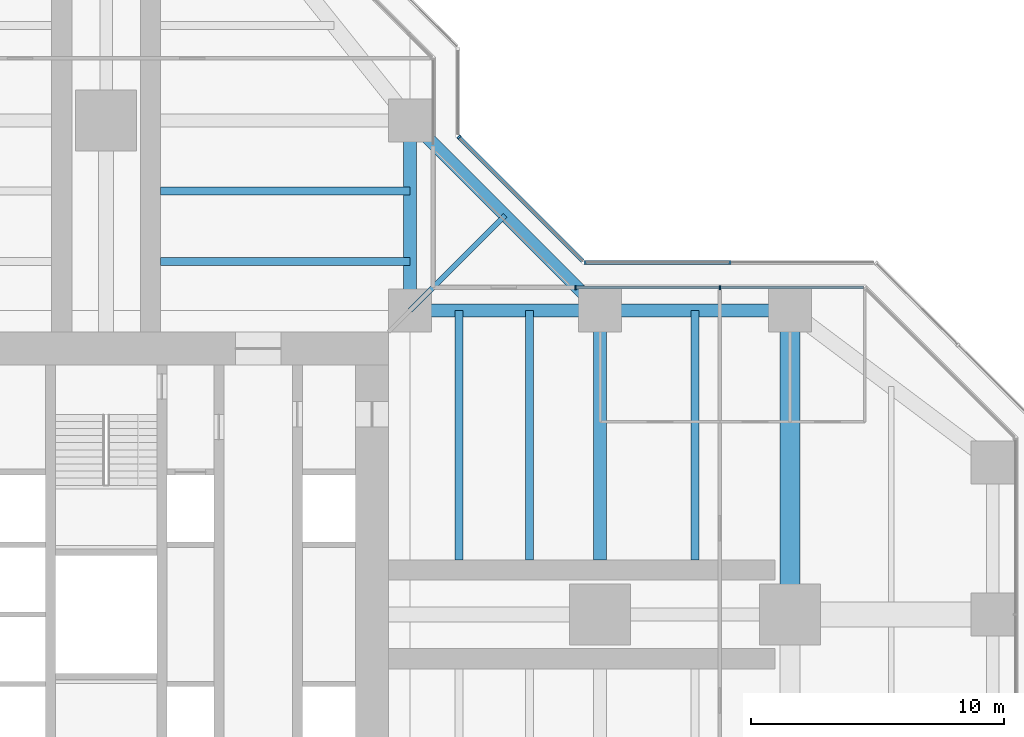
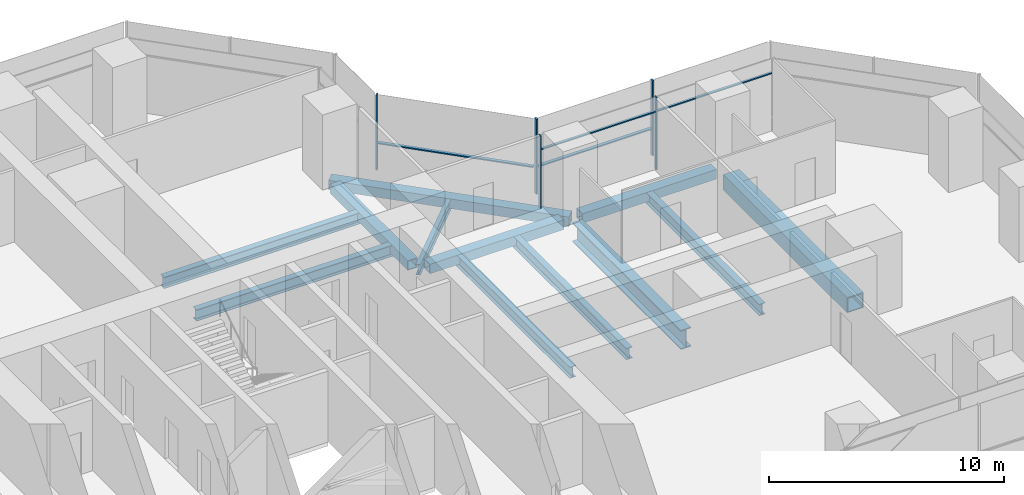
# One storey, part 9 of 19: 12 beams, 9 members, 3 elements without a shape of their own.
"""IFC4 building model written with IfcOpenShell, lengths in metres."""

import ifcopenshell
import ifcopenshell.guid

model = None  # the IFC model being written
_history = None  # IfcOwnerHistory: only IFC2X3 demands one
_inside = {}  # id of a spatial element -> (the spatial element, [elements in it])
_under = {}  # id of a project, library or spatial element -> (it, [spatial elements below it])
_declared = {}  # id of a project -> (the project, [libraries it declares])
_typed = {}  # id of a type object -> (the type object, [elements of that type])
_made_of = {}  # id of a material, layer set ... -> (it, [elements and type objects made of it])


def new_model(schema):
    """Start an empty IFC model of exactly this schema.

    Asked for "IFC4X3", IfcOpenShell would pick the latest addendum, in which some entities
    have other attributes; the version numbers below select the first issue.
    IFC2X3 requires an IfcOwnerHistory on every rooted entity: one is made here for all.
    """
    global model, _history
    if schema == "IFC4X3":
        model = ifcopenshell.file(schema_version=(4, 3, 0, 0))
    else:
        model = ifcopenshell.file(schema=schema)
    _inside.clear()
    _under.clear()
    _declared.clear()
    _typed.clear()
    _made_of.clear()
    _history = None
    if model.schema == "IFC2X3":
        org = make("IfcOrganization", Name="unknown")
        user = make(
            "IfcPersonAndOrganization",
            ThePerson=make("IfcPerson", FamilyName="unknown"),
            TheOrganization=org,
        )
        app = make(
            "IfcApplication",
            ApplicationDeveloper=org,
            Version="unknown",
            ApplicationFullName="unknown",
            ApplicationIdentifier="unknown",
        )
        _history = make(
            "IfcOwnerHistory",
            OwningUser=user,
            OwningApplication=app,
            ChangeAction="ADDED",
            CreationDate=0,
        )
    return model


def make(cls, **values):
    """One entity of the class cls with the attributes given. An attribute that is None is left unset."""
    return model.create_entity(
        cls, **{name: value for name, value in values.items() if value is not None}
    )


def rooted(cls, **values):
    """An entity with a GlobalId (a new one), such as an element, a storey or a relation."""
    return make(cls, GlobalId=ifcopenshell.guid.new(), OwnerHistory=_history, **values)


def si_unit(unit_type, name, prefix=None):
    """IfcSIUnit, for example si_unit("LENGTHUNIT", "METRE", prefix="MILLI")."""
    return make("IfcSIUnit", UnitType=unit_type, Prefix=prefix, Name=name)


def assignment(units):
    """IfcUnitAssignment: the units of a project."""
    return None if units is None else make("IfcUnitAssignment", Units=units)


def point(xyz):
    """IfcCartesianPoint."""
    return None if xyz is None else make("IfcCartesianPoint", Coordinates=xyz)


def direction(xyz):
    """IfcDirection."""
    return None if xyz is None else make("IfcDirection", DirectionRatios=xyz)


def frame(location, z_axis=None, x_axis=None):
    """IfcAxis2Placement3D, a coordinate frame: its origin and axes. An axis left out is left unset."""
    return make(
        "IfcAxis2Placement3D",
        Location=point(location),
        Axis=direction(z_axis),
        RefDirection=direction(x_axis),
    )


def frame_2d(location, x_axis=None):
    """IfcAxis2Placement2D, a coordinate frame in the plane: its origin and x axis."""
    return make(
        "IfcAxis2Placement2D", Location=point(location), RefDirection=direction(x_axis)
    )


def origin():
    """The frame at (0, 0, 0) with its axes left unset."""
    return frame((0.0, 0.0, 0.0))


def origin_2d():
    """The frame at (0, 0) in the plane with its x axis left unset."""
    return frame_2d((0.0, 0.0))


def place(relative_to, where):
    """IfcLocalPlacement: puts the frame where relative to a parent placement (None: the world)."""
    return make(
        "IfcLocalPlacement", PlacementRelTo=relative_to, RelativePlacement=where
    )


def context(
    kind, dimensions, precision=None, world=None, true_north=None, identifier=None
):
    """IfcGeometricRepresentationContext, for example the 3D "Model" context."""
    return make(
        "IfcGeometricRepresentationContext",
        ContextIdentifier=identifier,
        ContextType=kind,
        CoordinateSpaceDimension=dimensions,
        Precision=precision,
        WorldCoordinateSystem=world,
        TrueNorth=true_north,
    )


def subcontext(parent, identifier, kind, view, scale=None):
    """IfcGeometricRepresentationSubContext, for example "Body" below "Model"."""
    return make(
        "IfcGeometricRepresentationSubContext",
        ContextIdentifier=identifier,
        ContextType=kind,
        ParentContext=parent,
        TargetScale=scale,
        TargetView=view,
    )


def project(units=None, contexts=None):
    """IfcProject with its units and contexts."""
    return rooted(
        "IfcProject",
        Name="project",
        RepresentationContexts=contexts,
        UnitsInContext=assignment(units),
    )


def spatial(cls, under=None, at=None, **own):
    """A site, building, storey or space (cls), placed at a placement, below another one or the project."""
    s = rooted(cls, ObjectPlacement=at, **own)
    if under is not None:
        _under.setdefault(under.id(), (under, []))[1].append(s)
    return s


def profile(cls, at=None, kind="AREA", **sizes):
    """A parametric profile (cls). Its sizes go by their IFC names, for example OverallWidth=200.0."""
    return make(cls, ProfileType=kind, Position=at, **sizes)


def rectangle(**sizes):
    """IfcRectangleProfileDef."""
    return profile("IfcRectangleProfileDef", **sizes)


def hollow_rectangle(**sizes):
    """IfcRectangleHollowProfileDef."""
    return profile("IfcRectangleHollowProfileDef", **sizes)


def i_section(**sizes):
    """IfcIShapeProfileDef."""
    return profile("IfcIShapeProfileDef", **sizes)


def extrude(swept, where, along, depth):
    """IfcExtrudedAreaSolid: the profile swept, set in the frame where, extruded along a direction by depth."""
    return make(
        "IfcExtrudedAreaSolid",
        SweptArea=swept,
        Position=where,
        ExtrudedDirection=direction(along),
        Depth=depth,
    )


def shape(context_of_items, identifier, shape_type, items):
    """IfcShapeRepresentation: the items that make up one representation, for example the "Body"."""
    return make(
        "IfcShapeRepresentation",
        ContextOfItems=context_of_items,
        RepresentationIdentifier=identifier,
        RepresentationType=shape_type,
        Items=items,
    )


def material(Name=None, Category=None):
    """IfcMaterial."""
    return make("IfcMaterial", Name=Name, Category=Category)


def material_profile(
    of_material, cross_section, Name=None, Category=None, Priority=None
):
    """IfcMaterialProfile: a cross section and its material."""
    return make(
        "IfcMaterialProfile",
        Name=Name,
        Material=of_material,
        Profile=cross_section,
        Priority=Priority,
        Category=Category,
    )


def profile_set(profiles, Name=None, composite=None):
    """IfcMaterialProfileSet."""
    return make(
        "IfcMaterialProfileSet",
        Name=Name,
        MaterialProfiles=profiles,
        CompositeProfile=composite,
    )


def made_of(thing, what):
    """Note that an element or type object is made of a material, layer set ...; save() writes the relation."""
    if what is not None:
        _made_of.setdefault(what.id(), (what, []))[1].append(thing)
    return thing


def type_object(cls, material=None, **own):
    """A type object (cls), such as IfcWallType, which elements share."""
    return made_of(rooted(cls, **own), material)


def element(
    cls,
    number,
    at=None,
    inside=None,
    cuts=None,
    type_object=None,
    material=None,
    context=None,
    identifier="Body",
    shape_type=None,
    held_by="IfcProductDefinitionShape",
    body=None,
    shapes=None,
    **own,
):
    """One element of the class cls, such as IfcWall. Its Tag is "e" and its number.

    at: its placement. inside: the storey or other place that contains it. cuts: it is an
    opening in that element (IfcRelVoidsElement). A single representation is given by context,
    identifier, shape_type and body (its items); several are given by shapes. held_by: the class
    of the entity that holds the representations. save() writes the other relations.
    """
    e = rooted(cls, Tag="e%d" % number, ObjectPlacement=at, **own)
    if body is not None:
        shapes = [shape(context, identifier, shape_type, body)]
    if shapes is not None:
        e.Representation = make(held_by, Representations=shapes)
    if inside is not None:
        _inside.setdefault(inside.id(), (inside, []))[1].append(e)
    if cuts is not None:
        rooted(
            "IfcRelVoidsElement", RelatingBuildingElement=cuts, RelatedOpeningElement=e
        )
    if type_object is not None:
        _typed.setdefault(type_object.id(), (type_object, []))[1].append(e)
    return made_of(e, material)


def aggregate(whole, parts):
    """IfcRelAggregates: a whole, such as a stair, and the parts it consists of."""
    return rooted("IfcRelAggregates", RelatingObject=whole, RelatedObjects=parts)


def save(model, path):
    """Write the relations noted so far, then the file.

    IfcRelAggregates (storeys below a building ...), IfcRelContainedInSpatialStructure (elements
    in a storey), IfcRelDefinesByType, IfcRelAssociatesMaterial and IfcRelDeclares: one each for
    every whole, place, type object, material and project.
    """
    for whole, parts in _under.values():
        aggregate(whole, parts)
    for where, things in _inside.values():
        rooted(
            "IfcRelContainedInSpatialStructure",
            RelatedElements=things,
            RelatingStructure=where,
        )
    for kind, things in _typed.values():
        rooted("IfcRelDefinesByType", RelatedObjects=things, RelatingType=kind)
    for what, things in _made_of.values():
        rooted("IfcRelAssociatesMaterial", RelatedObjects=things, RelatingMaterial=what)
    for by, libraries in _declared.values():
        rooted("IfcRelDeclares", RelatingContext=by, RelatedDefinitions=libraries)
    model.write(path)


model = new_model("IFC4")

# Units and contexts
model_context = context("Model", 3, precision=1e-05, world=origin(), true_north=direction((0.0, 1.0)))
body_context = subcontext(model_context, "Body", "Model", "MODEL_VIEW")
ifc_project = project(units=[si_unit("LENGTHUNIT", "METRE"), si_unit("AREAUNIT", "SQUARE_METRE"), si_unit("VOLUMEUNIT", "CUBIC_METRE"), si_unit("PLANEANGLEUNIT", "RADIAN"), si_unit("MASSUNIT", "GRAM", prefix="KILO")], contexts=[model_context])

# Site, building, storey
site_placement = place(None, origin())
site = spatial("IfcSite", under=ifc_project, at=site_placement, CompositionType="ELEMENT")
building_placement = place(site_placement, origin())
building = spatial("IfcBuilding", under=site, at=building_placement, Name="Mizan Broadcast Tower", CompositionType="ELEMENT")
storey_placement = place(building_placement, frame((0.0, 0.0, 132.0)))
storey = spatial("IfcBuildingStorey", under=building, at=storey_placement, Name="L29", CompositionType="ELEMENT", Elevation=132.0)

# Beams
ifc_material_1 = material(Name="Steel S355", Category="steel")
ifc_material_profile_1 = material_profile(ifc_material_1, hollow_rectangle(XDim=0.5, YDim=0.5, WallThickness=0.030029296875, at=origin_2d()), Name="BOX 500x500x30")
ifc_profile_set_1 = profile_set([ifc_material_profile_1], Name="Steel S355")
beam_type_1 = type_object("IfcBeamType", Name="EDGE BEAM BOX 500x500x30", PredefinedType="SPANDREL", material=ifc_profile_set_1)
for number, where, z_axis, x_axis, name in (
    (1, (12.449951171875, 12.0, -0.3798828125), (1.0, 0.0, 0.0), (0.0, 1.0, 0.0), "Edge beam BOX 500x500x30 L29 east arm"),
    (2, (19.949951171875, 12.0, -0.3798828125), (1.0, 0.0, 0.0), (0.0, 1.0, 0.0), "Edge beam BOX 500x500x30 L29 east arm"),
    (3, (12.0, 12.449951171875, -0.3798828125), (0.0, 1.0, 0.0), (-1.0, 0.0, 0.0), "Edge beam BOX 500x500x30 L29 north arm"),
):
    element("IfcBeam", number, at=place(storey_placement, frame(where, z_axis=z_axis, x_axis=x_axis)), inside=storey, type_object=beam_type_1, Name=name, PredefinedType="SPANDREL", context=body_context, shape_type="SweptSolid", body=[
        extrude(hollow_rectangle(XDim=0.5, YDim=0.5, WallThickness=0.030029296875, at=origin_2d()), origin(), (0.0, 0.0, 1.0), 6.60009765625),
    ])
beam_1_placement = place(storey_placement, frame((19.5, 12.0, -0.3798828125), z_axis=(-0.707106781187, 0.707106781187, 0.0), x_axis=(-0.707106781187, -0.707106781187, 0.0)))
element("IfcBeam", 4, at=beam_1_placement, inside=storey, type_object=beam_type_1, Name="Winter garden edge beam L29 E", PredefinedType="SPANDREL", context=body_context, shape_type="SweptSolid", body=[
    extrude(hollow_rectangle(XDim=0.5, YDim=0.5, WallThickness=0.030029296875, at=origin_2d()), origin(), (0.0, 0.0, 1.0), 10.606689453125),
])
ifc_material_2 = material(Name="Steel S460", Category="steel")
ifc_material_profile_2 = material_profile(ifc_material_2, hollow_rectangle(XDim=0.800048828125, YDim=0.800048828125, WallThickness=0.050048828125, at=origin_2d()), Name="BOX 800x800x50")
ifc_profile_set_2 = profile_set([ifc_material_profile_2], Name="Steel S460")
beam_type_2 = type_object("IfcBeamType", Name="GIRDER BOX 800x800x50", PredefinedType="BEAM", material=ifc_profile_set_2)
beam_2_placement = place(storey_placement, frame((27.0, 11.280029296875, -0.530029296875), z_axis=(0.0, -1.0, 0.0), x_axis=(1.0, 0.0, 0.0)))
element("IfcBeam", 5, at=beam_2_placement, inside=storey, type_object=beam_type_2, Name="Girder BOX 800x800x50 L29 east arm", PredefinedType="BEAM", context=body_context, shape_type="SweptSolid", body=[
    extrude(hollow_rectangle(XDim=0.800048828125, YDim=0.800048828125, WallThickness=0.050048828125, at=origin_2d()), origin(), (0.0, 0.0, 1.0), 10.56005859375),
])
ifc_material_3 = material(Name="Steel S460", Category="steel")
ifc_material_profile_3 = material_profile(ifc_material_3, i_section(OverallWidth=0.5, OverallDepth=1.0, WebThickness=0.02490234375, FlangeThickness=0.050048828125, at=origin_2d()), Name="WPG 1000x500")
ifc_profile_set_3 = profile_set([ifc_material_profile_3], Name="Steel S460")
beam_type_3 = type_object("IfcBeamType", Name="GIRDER WPG 1000x500", PredefinedType="BEAM", material=ifc_profile_set_3)
beam_3_placement = place(storey_placement, frame((19.5, 11.408935546875, -0.6298828125), z_axis=(0.0, -1.0, 0.0), x_axis=(1.0, 0.0, 0.0)))
element("IfcBeam", 6, at=beam_3_placement, inside=storey, type_object=beam_type_3, Name="Girder WPG 1000x500 L29 east arm", PredefinedType="BEAM", context=body_context, shape_type="SweptSolid", body=[
    extrude(i_section(OverallWidth=0.5, OverallDepth=1.0, WebThickness=0.02490234375, FlangeThickness=0.050048828125, at=origin_2d()), origin(), (0.0, 0.0, 1.0), 9.259033203125),
])

# Curtain wall, members
ifc_material_4 = material(Name="Aluminium framed glazing", Category="aluminium")
curtain_wall_type_1 = type_object("IfcCurtainWallType", Name="INNER SKIN MID ZONE", PredefinedType="USERDEFINED", material=ifc_material_4)
curtain_wall_1_placement = place(storey_placement, origin())
curtain_wall_1 = element("IfcCurtainWall", 7, at=curtain_wall_1_placement, inside=storey, type_object=curtain_wall_type_1, Name="Inner skin mid zone L29 E side", ObjectType="INNER SKIN MID ZONE", PredefinedType="USERDEFINED")
ifc_material_5 = material(Name="Aluminium, pale anodised", Category="aluminium")
ifc_material_profile_4 = material_profile(ifc_material_5, rectangle(XDim=0.159912109375, YDim=0.06005859375, at=origin_2d()), Name="MULLION 160x60")
ifc_profile_set_4 = profile_set([ifc_material_profile_4], Name="Aluminium, pale anodised")
member_type_1 = type_object("IfcMemberType", Name="INNER SKIN MULLION 60x160", PredefinedType="MULLION", material=ifc_profile_set_4)
member_1_placement = place(storey_placement, frame((24.229248046875, 12.89990234375, 0.0), z_axis=(0.0, 0.0, 1.0), x_axis=(0.0, -1.0, 0.0)))
member_1 = element("IfcMember", 8, at=member_1_placement, type_object=member_type_1, Name="Inner skin mid zone L29 E side mullion 2", PredefinedType="MULLION", context=body_context, shape_type="SweptSolid", body=[
    extrude(rectangle(XDim=0.159912109375, YDim=0.06005859375, at=origin_2d()), origin(), (0.0, 0.0, 1.0), 3.77001953125),
])
member_2_placement = place(storey_placement, frame((18.530029296875, 12.89990234375, 0.0), z_axis=(0.0, 0.0, 1.0), x_axis=(0.0, -1.0, 0.0)))
member_2 = element("IfcMember", 9, at=member_2_placement, type_object=member_type_1, Name="Inner skin mid zone L29 E side mullion 3", PredefinedType="MULLION", context=body_context, shape_type="SweptSolid", body=[
    extrude(rectangle(XDim=0.159912109375, YDim=0.06005859375, at=origin_2d()), origin(), (0.0, 0.0, 1.0), 3.77001953125),
])
ifc_material_6 = material(Name="Aluminium, pale anodised", Category="aluminium")
ifc_material_profile_5 = material_profile(ifc_material_6, rectangle(XDim=0.1201171875, YDim=0.06005859375, at=origin_2d()), Name="TRANSOM 120x60")
ifc_profile_set_5 = profile_set([ifc_material_profile_5], Name="Aluminium, pale anodised")
member_type_2 = type_object("IfcMemberType", Name="INNER SKIN TRANSOM 60x120", PredefinedType="USERDEFINED", material=ifc_profile_set_5)
member_3_placement = place(storey_placement, frame((29.898681640625, 12.89990234375, 3.030029296875), z_axis=(-1.0, 0.0, 0.0), x_axis=(0.0, -1.0, 0.0)))
member_3 = element("IfcMember", 10, at=member_3_placement, type_object=member_type_2, Name="Inner skin mid zone L29 E side transom 1.1", ObjectType="TRANSOM", PredefinedType="USERDEFINED", context=body_context, shape_type="SweptSolid", body=[
    extrude(rectangle(XDim=0.1201171875, YDim=0.06005859375, at=origin_2d()), origin(), (0.0, 0.0, 1.0), 5.639404296875),
])
member_4_placement = place(storey_placement, frame((24.19921875, 12.89990234375, 3.030029296875), z_axis=(-1.0, 0.0, 0.0), x_axis=(0.0, -1.0, 0.0)))
member_4 = element("IfcMember", 11, at=member_4_placement, type_object=member_type_2, Name="Inner skin mid zone L29 E side transom 2.1", ObjectType="TRANSOM", PredefinedType="USERDEFINED", context=body_context, shape_type="SweptSolid", body=[
    extrude(rectangle(XDim=0.1201171875, YDim=0.06005859375, at=origin_2d()), origin(), (0.0, 0.0, 1.0), 5.63916015625),
])
aggregate(curtain_wall_1, [member_1, member_2, member_3, member_4])

ifc_material_7 = material(Name="Aluminium framed glazing", Category="aluminium")
curtain_wall_type_2 = type_object("IfcCurtainWallType", Name="OUTER SKIN", PredefinedType="USERDEFINED", material=ifc_material_7)
curtain_wall_2_placement = place(storey_placement, origin())
curtain_wall_2 = element("IfcCurtainWall", 12, at=curtain_wall_2_placement, inside=storey, type_object=curtain_wall_type_2, Name="Outer skin L29 E side", ObjectType="OUTER SKIN", PredefinedType="USERDEFINED")
ifc_material_8 = material(Name="Aluminium, pale anodised", Category="aluminium")
ifc_material_profile_6 = material_profile(ifc_material_8, rectangle(XDim=0.159912109375, YDim=0.080078125, at=origin_2d()), Name="MULLION 160x80")
ifc_profile_set_6 = profile_set([ifc_material_profile_6], Name="Aluminium, pale anodised")
member_type_3 = type_object("IfcMemberType", Name="OUTER SKIN MULLION 80x160", PredefinedType="MULLION", material=ifc_profile_set_6)
member_5_placement = place(storey_placement, frame((24.622802734375, 13.89990234375, 0.0), z_axis=(0.0, 0.0, 1.0), x_axis=(0.0, -1.0, 0.0)))
member_5 = element("IfcMember", 13, at=member_5_placement, type_object=member_type_3, Name="Outer skin L29 E side mullion 2", PredefinedType="MULLION", context=body_context, shape_type="SweptSolid", body=[
    extrude(rectangle(XDim=0.159912109375, YDim=0.080078125, at=origin_2d()), origin(), (0.0, 0.0, 1.0), 3.89990234375),
])
member_6_placement = place(storey_placement, frame((18.912841796875, 13.89990234375, 0.0), z_axis=(0.0, 0.0, 1.0), x_axis=(0.0, -1.0, 0.0)))
member_6 = element("IfcMember", 14, at=member_6_placement, type_object=member_type_3, Name="Outer skin L29 E side mullion 3", PredefinedType="MULLION", context=body_context, shape_type="SweptSolid", body=[
    extrude(rectangle(XDim=0.159912109375, YDim=0.080078125, at=origin_2d()), origin(), (0.0, 0.0, 1.0), 3.89990234375),
])

# Curtain wall, member
curtain_wall_3_placement = place(storey_placement, origin())
curtain_wall_3 = element("IfcCurtainWall", 15, at=curtain_wall_3_placement, inside=storey, type_object=curtain_wall_type_2, Name="Outer skin L29 E chamfer", ObjectType="OUTER SKIN", PredefinedType="USERDEFINED")
member_7_placement = place(storey_placement, frame((13.92822265625, 18.844482421875, 0.0), z_axis=(0.0, 0.0, 1.0), x_axis=(-0.707106781187, -0.707106781187, 0.0)))
member_7 = element("IfcMember", 16, at=member_7_placement, type_object=member_type_3, Name="Outer skin L29 E chamfer mullion 2", PredefinedType="MULLION", context=body_context, shape_type="SweptSolid", body=[
    extrude(rectangle(XDim=0.159912109375, YDim=0.080078125, at=origin_2d()), origin(), (0.0, 0.0, 1.0), 3.89990234375),
])

# Member
ifc_material_9 = material(Name="Aluminium, pale anodised", Category="aluminium")
ifc_material_profile_7 = material_profile(ifc_material_9, rectangle(XDim=0.159912109375, YDim=0.06005859375, at=origin_2d()), Name="TRANSOM 160x60")
ifc_profile_set_7 = profile_set([ifc_material_profile_7], Name="Aluminium, pale anodised")
member_type_4 = type_object("IfcMemberType", Name="OUTER SKIN TRANSOM 60x160", PredefinedType="USERDEFINED", material=ifc_profile_set_7)
member_8_placement = place(storey_placement, frame((24.582763671875, 13.89990234375, 1.39990234375), z_axis=(-1.0, 0.0, 0.0), x_axis=(0.0, -1.0, 0.0)))
member_8 = element("IfcMember", 17, at=member_8_placement, type_object=member_type_4, Name="Outer skin L29 E side transom 2.1", ObjectType="TRANSOM", PredefinedType="USERDEFINED", context=body_context, shape_type="SweptSolid", body=[
    extrude(rectangle(XDim=0.159912109375, YDim=0.06005859375, at=origin_2d()), origin(), (0.0, 0.0, 1.0), 5.6298828125),
])

aggregate(curtain_wall_2, [member_5, member_6, member_8])

member_9_placement = place(storey_placement, frame((18.816162109375, 13.95654296875, 1.39990234375), z_axis=(-0.707106781187, 0.707106781187, 0.0), x_axis=(-0.707106781187, -0.707106781187, 0.0)))
member_9 = element("IfcMember", 18, at=member_9_placement, type_object=member_type_4, Name="Outer skin L29 E chamfer transom 1.1", ObjectType="TRANSOM", PredefinedType="USERDEFINED", context=body_context, shape_type="SweptSolid", body=[
    extrude(rectangle(XDim=0.159912109375, YDim=0.06005859375, at=origin_2d()), origin(), (0.0, 0.0, 1.0), 6.87255859375),
])

aggregate(curtain_wall_3, [member_7, member_9])

# Beams
ifc_material_10 = material(Name="Steel S355", Category="steel")
ifc_material_profile_8 = material_profile(ifc_material_10, i_section(OverallWidth=0.300048828125, OverallDepth=0.590087890625, WebThickness=0.012939453125, FlangeThickness=0.02490234375, FilletRadius=0.027099609375, at=origin_2d()), Name="HEA 600")
ifc_profile_set_8 = profile_set([ifc_material_profile_8], Name="Steel S355")
beam_type_4 = type_object("IfcBeamType", Name="SECONDARY BEAM HEA 600", PredefinedType="JOIST", material=ifc_profile_set_8)
for number, where, z_axis, x_axis, name in (
    (19, (13.933349609375, 12.0, -0.425048828125), (0.0, -1.0, 0.0), (1.0, 0.0, 0.0), "Secondary beam HEA 600 L29 east arm"),
    (20, (16.716552734375, 12.0, -0.425048828125), (0.0, -1.0, 0.0), (1.0, 0.0, 0.0), "Secondary beam HEA 600 L29 east arm"),
    (21, (23.25, 12.0, -0.425048828125), (0.0, -1.0, 0.0), (1.0, 0.0, 0.0), "Secondary beam HEA 600 L29 east arm"),
    (22, (12.0, 13.933349609375, -0.425048828125), (-1.0, 0.0, 0.0), (0.0, -1.0, 0.0), "Secondary beam HEA 600 L29 north arm"),
    (23, (12.0, 16.716552734375, -0.425048828125), (-1.0, 0.0, 0.0), (0.0, -1.0, 0.0), "Secondary beam HEA 600 L29 north arm"),
):
    element("IfcBeam", number, at=place(storey_placement, frame(where, z_axis=z_axis, x_axis=x_axis)), inside=storey, type_object=beam_type_4, Name=name, PredefinedType="JOIST", context=body_context, shape_type="SweptSolid", body=[
        extrude(i_section(OverallWidth=0.300048828125, OverallDepth=0.590087890625, WebThickness=0.012939453125, FlangeThickness=0.02490234375, FilletRadius=0.027099609375, at=origin_2d()), origin(), (0.0, 0.0, 1.0), 9.85009765625),
    ])
ifc_material_11 = material(Name="Steel S355", Category="steel")
ifc_material_profile_9 = material_profile(ifc_material_11, i_section(OverallWidth=0.2099609375, OverallDepth=0.550048828125, WebThickness=0.010986328125, FlangeThickness=0.01708984375, FilletRadius=0.02392578125, at=origin_2d()), Name="IPE 550")
ifc_profile_set_9 = profile_set([ifc_material_profile_9], Name="Steel S355")
beam_type_5 = type_object("IfcBeamType", Name="SECONDARY BEAM IPE 550", PredefinedType="JOIST", material=ifc_profile_set_9)
beam_4_placement = place(storey_placement, frame((12.0, 12.0, -0.405029296875), z_axis=(0.707106781187, 0.707106781187, 0.0), x_axis=(-0.707106781187, 0.707106781187, 0.0)))
element("IfcBeam", 24, at=beam_4_placement, inside=storey, type_object=beam_type_5, Name="Winter garden beam L29 E", PredefinedType="JOIST", context=body_context, shape_type="SweptSolid", body=[
    extrude(i_section(OverallWidth=0.2099609375, OverallDepth=0.550048828125, WebThickness=0.010986328125, FlangeThickness=0.01708984375, FilletRadius=0.02392578125, at=origin_2d()), origin(), (0.0, 0.0, 1.0), 5.30322265625),
])

save(model, "model.ifc")
